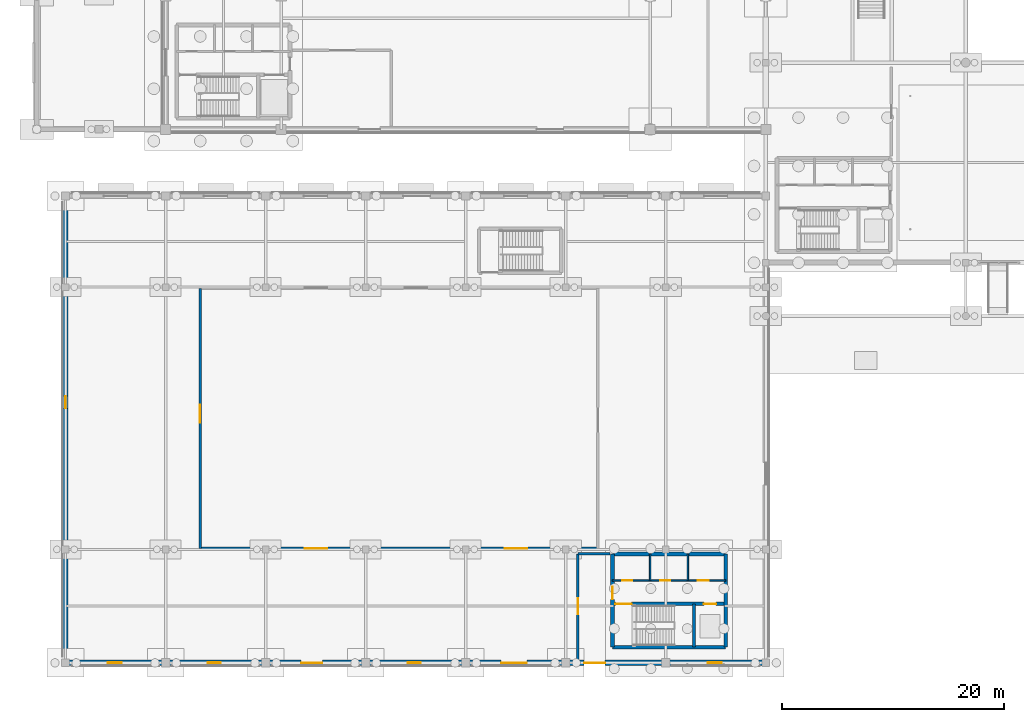
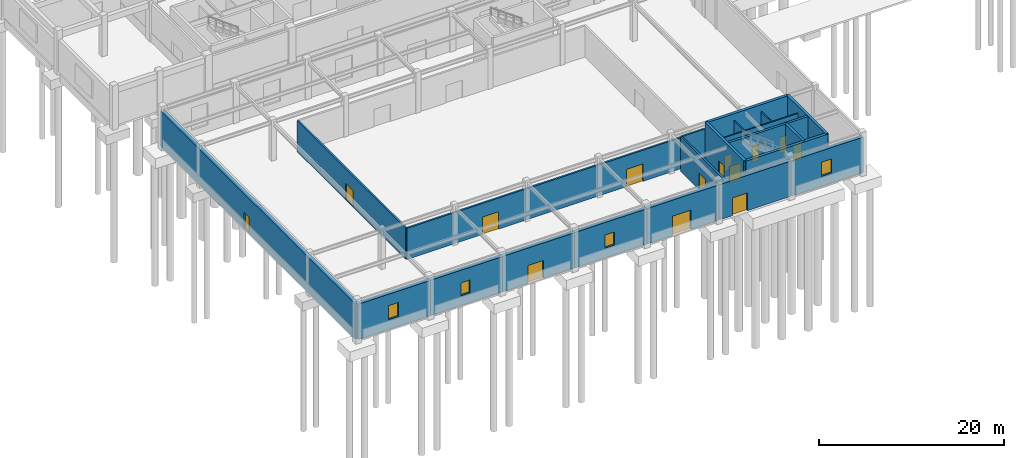
# One storey, part 23 of 53: 21 walls, 14 doors, 4 windows, 18 openings.
"""IFC4 building model written with IfcOpenShell, lengths in metres."""

from ifc_helpers import new_model, si_unit, derived_unit, direction, frame, frame_2d, origin, place, context, subcontext, project, spatial, rectangle, extrude, material, layer, layer_set, type_object, element, fill, save


model = new_model("IFC4")

# Units and contexts
model_context = context("Model", 3, precision=1e-05, world=origin(), true_north=direction((0.0, 1.0)))
body_context = subcontext(model_context, "Body", "Model", "MODEL_VIEW")
ifc_project = project(units=[si_unit("LENGTHUNIT", "METRE"), si_unit("AREAUNIT", "SQUARE_METRE"), si_unit("VOLUMEUNIT", "CUBIC_METRE"), si_unit("PLANEANGLEUNIT", "RADIAN"), si_unit("MASSUNIT", "GRAM", prefix="KILO"), derived_unit("THERMALTRANSMITTANCEUNIT", [(si_unit("POWERUNIT", "WATT"), 1), (si_unit("LENGTHUNIT", "METRE"), -2), (si_unit("THERMODYNAMICTEMPERATUREUNIT", "KELVIN"), -1)])], contexts=[model_context])

# Site, building, storey
site_placement = place(None, origin())
site = spatial("IfcSite", under=ifc_project, at=site_placement, CompositionType="ELEMENT")
building_placement = place(site_placement, origin())
building = spatial("IfcBuilding", under=site, at=building_placement, Name="Almenara Railside Exhibition Hall", CompositionType="ELEMENT")
storey_placement = place(building_placement, origin())
storey = spatial("IfcBuildingStorey", under=building, at=storey_placement, Name="L00", CompositionType="ELEMENT", Elevation=0.0)

# Walls
ifc_material_1 = material(Name="Concrete C35/45", Category="concrete")
ifc_layer_1 = layer(ifc_material_1, 0.35009765625, Name="Concrete C35/45")
ifc_layer_set_1 = layer_set([ifc_layer_1], Name="Concrete C35/45")
wall_type_1 = type_object("IfcWallType", Name="Core Coupled Shear Wall 350mm C35/45", PredefinedType="SHEAR", material=ifc_layer_set_1)
for number, where, z_axis, x_axis, name in (
    (1, (52.199951171875, 1.39990234375, 0.0), (0.0, 0.0, 1.0), (1.0, 0.0, 0.0), "Interior wall 0190"),
    (2, (62.39990234375, 9.800048828125, 0.0), (0.0, 0.0, 1.0), (-1.0, 0.0, 0.0), "Interior wall 0191"),
):
    element("IfcWall", number, at=place(storey_placement, frame(where, z_axis=z_axis, x_axis=x_axis)), inside=storey, type_object=wall_type_1, Name=name, PredefinedType="SHEAR", context=body_context, shape_type="SweptSolid", body=[
        extrude(rectangle(XDim=10.199951171875, YDim=0.35009765625, at=frame_2d((5.10009765625, 0.0))), origin(), (0.0, 0.0, 1.0), 5.39990234375),
    ])

# Wall, opening, door
wall_1_placement = place(storey_placement, frame((52.199951171875, 9.800048828125, 0.0), z_axis=(0.0, 0.0, 1.0), x_axis=(0.0, -1.0, 0.0)))
wall_1 = element("IfcWall", 3, at=wall_1_placement, inside=storey, type_object=wall_type_1, Name="Interior wall 0192", PredefinedType="SHEAR", context=body_context, shape_type="SweptSolid", body=[
    extrude(rectangle(XDim=8.400146484375, YDim=0.35009765625, at=frame_2d((4.2001953125, 0.0))), origin(), (0.0, 0.0, 1.0), 5.39990234375),
])
opening_1_placement = place(wall_1_placement, frame((2.949951171875, 0.0, 0.0)))
opening_1 = element("IfcOpeningElement", 4, at=opening_1_placement, cuts=wall_1, Name="Opening FD-115", PredefinedType="OPENING", context=body_context, shape_type="SweptSolid", body=[
    extrude(rectangle(XDim=1.14990234375, YDim=2.14990234375, at=frame_2d((0.574951171875, 1.074951171875))), frame((0.0, 0.18505859375, 0.0), z_axis=(0.0, -1.0, 0.0), x_axis=(1.0, 0.0, 0.0)), (0.0, 0.0, 1.0), 0.3701171875),
])
ifc_material_2 = material(Name="Fire-rated iroko timber door", Category="wood")
door_type_1 = type_object("IfcDoorType", Name="Core Lobby Fire Door 1150x2150 EI60", OperationType="NOTDEFINED", PredefinedType="DOOR", material=ifc_material_2)
door_1_placement = place(opening_1_placement, frame((1.14990234375, 0.0, 0.0), z_axis=(0.0, 0.0, 1.0), x_axis=(-1.0, 0.0, 0.0)))
door_1 = element("IfcDoor", 5, at=door_1_placement, inside=storey, type_object=door_type_1, Name="Interior door FD-115-127", OperationType="SINGLE_SWING_LEFT", OverallHeight=2.14990234375, OverallWidth=1.14990234375, PredefinedType="DOOR", context=body_context, shape_type="SweptSolid", body=[
    extrude(rectangle(XDim=1.14990234375, YDim=2.14990234375, at=frame_2d((0.574951171875, 1.074951171875))), frame((0.0, 0.02490234375, 0.0), z_axis=(0.0, -1.0, 0.0), x_axis=(1.0, 0.0, 0.0)), (0.0, 0.0, 1.0), 0.050048828125),
])
fill(opening_1, door_1)

# Wall
wall_2_placement = place(storey_placement, frame((62.39990234375, 1.39990234375, 0.0), z_axis=(0.0, 0.0, 1.0), x_axis=(0.0, 1.0, 0.0)))
element("IfcWall", 6, at=wall_2_placement, inside=storey, type_object=wall_type_1, Name="Interior wall 0193", PredefinedType="SHEAR", context=body_context, shape_type="SweptSolid", body=[
    extrude(rectangle(XDim=8.400146484375, YDim=0.35009765625, at=frame_2d((4.2001953125, 0.0))), origin(), (0.0, 0.0, 1.0), 5.39990234375),
])

# Wall, opening, window
ifc_material_3 = material(Name="Ochre-white lime-rendered masonry over Concrete C35/45", Category="masonry")
ifc_layer_2 = layer(ifc_material_3, 0.47998046875, Name="Ochre-white lime-rendered masonry over Concrete C35/45")
ifc_layer_set_2 = layer_set([ifc_layer_2], Name="Ochre-white lime-rendered masonry over Concrete C35/45")
wall_type_2 = type_object("IfcWallType", Name="Exterior Plenary Thermal Wall 480mm C35/45", PredefinedType="SOLIDWALL", material=ifc_layer_set_2)
wall_3_placement = place(storey_placement, frame((3.0, 0.0, 0.0), z_axis=(0.0, 0.0, 1.0), x_axis=(1.0, 0.0, 0.0)))
wall_3 = element("IfcWall", 7, at=wall_3_placement, inside=storey, type_object=wall_type_2, Name="Exterior wall 0108", PredefinedType="SOLIDWALL", context=body_context, shape_type="SweptSolid", body=[
    extrude(rectangle(XDim=9.0, YDim=0.47998046875, at=frame_2d((4.5, 0.0))), origin(), (0.0, 0.0, 1.0), 4.64990234375),
])
opening_2_placement = place(wall_3_placement, frame((3.800048828125, 0.0, 1.300048828125)))
opening_2 = element("IfcOpeningElement", 8, at=opening_2_placement, cuts=wall_3, Name="Opening W-10", PredefinedType="OPENING", context=body_context, shape_type="SweptSolid", body=[
    extrude(rectangle(XDim=1.25, YDim=1.85009765625, at=frame_2d((0.625, 0.925048828125))), frame((0.0, 0.25, 0.0), z_axis=(0.0, -1.0, 0.0), x_axis=(1.0, 0.0, 0.0)), (0.0, 0.0, 1.0), 0.5),
])
ifc_material_4 = material(Name="Bronze-anodised aluminium and low-E double glazing", Category="aluminium")
window_type_1 = type_object("IfcWindowType", Name="South Cold-Side Punched Window 1250x1850", PartitioningType="SINGLE_PANEL", PredefinedType="WINDOW", material=ifc_material_4)
window_1_placement = place(opening_2_placement, origin())
window_1 = element("IfcWindow", 9, at=window_1_placement, inside=storey, type_object=window_type_1, Name="Window 0019", OverallHeight=1.85009765625, OverallWidth=1.25, PartitioningType="SINGLE_PANEL", PredefinedType="WINDOW", context=body_context, shape_type="SweptSolid", body=[
    extrude(rectangle(XDim=1.25, YDim=1.85009765625, at=frame_2d((0.625, 0.925048828125))), frame((0.0, 0.030029296875, 0.0), z_axis=(0.0, -1.0, 0.0), x_axis=(1.0, 0.0, 0.0)), (0.0, 0.0, 1.0), 0.06005859375),
])
fill(opening_2, window_1)

wall_4_placement = place(storey_placement, frame((12.0, 0.0, 0.0), z_axis=(0.0, 0.0, 1.0), x_axis=(1.0, 0.0, 0.0)))
wall_4 = element("IfcWall", 10, at=wall_4_placement, inside=storey, type_object=wall_type_2, Name="Exterior wall 0112", PredefinedType="SOLIDWALL", context=body_context, shape_type="SweptSolid", body=[
    extrude(rectangle(XDim=9.0, YDim=0.47998046875, at=frame_2d((4.5, 0.0))), origin(), (0.0, 0.0, 1.0), 4.64990234375),
])
opening_3_placement = place(wall_4_placement, frame((3.800048828125, 0.0, 1.300048828125)))
opening_3 = element("IfcOpeningElement", 11, at=opening_3_placement, cuts=wall_4, Name="Opening W-11", PredefinedType="OPENING", context=body_context, shape_type="SweptSolid", body=[
    extrude(rectangle(XDim=1.14990234375, YDim=1.699951171875, at=frame_2d((0.574951171875, 0.85009765625))), frame((0.0, 0.25, 0.0), z_axis=(0.0, -1.0, 0.0), x_axis=(1.0, 0.0, 0.0)), (0.0, 0.0, 1.0), 0.5),
])
window_type_2 = type_object("IfcWindowType", Name="South Gallery Punched Window 1150x1700", PartitioningType="SINGLE_PANEL", PredefinedType="WINDOW", material=ifc_material_4)
window_2_placement = place(opening_3_placement, origin())
window_2 = element("IfcWindow", 12, at=window_2_placement, inside=storey, type_object=window_type_2, Name="Window 0021", OverallHeight=1.699951171875, OverallWidth=1.14990234375, PartitioningType="SINGLE_PANEL", PredefinedType="WINDOW", context=body_context, shape_type="SweptSolid", body=[
    extrude(rectangle(XDim=1.14990234375, YDim=1.699951171875, at=frame_2d((0.574951171875, 0.85009765625))), frame((0.0, 0.030029296875, 0.0), z_axis=(0.0, -1.0, 0.0), x_axis=(1.0, 0.0, 0.0)), (0.0, 0.0, 1.0), 0.06005859375),
])
fill(opening_3, window_2)

# Wall, opening, door
wall_5_placement = place(storey_placement, frame((21.0, 0.0, 0.0), z_axis=(0.0, 0.0, 1.0), x_axis=(1.0, 0.0, 0.0)))
wall_5 = element("IfcWall", 13, at=wall_5_placement, inside=storey, type_object=wall_type_2, Name="Exterior wall 0116", PredefinedType="SOLIDWALL", context=body_context, shape_type="SweptSolid", body=[
    extrude(rectangle(XDim=9.0, YDim=0.47998046875, at=frame_2d((4.5, 0.0))), origin(), (0.0, 0.0, 1.0), 4.64990234375),
])
opening_4_placement = place(wall_5_placement, frame((3.199951171875, 0.0, 0.0)))
opening_4 = element("IfcOpeningElement", 14, at=opening_4_placement, cuts=wall_5, Name="Opening ED-16", PredefinedType="OPENING", context=body_context, shape_type="SweptSolid", body=[
    extrude(rectangle(XDim=1.89990234375, YDim=2.35009765625, at=frame_2d((0.949951171875, 1.175048828125))), frame((0.0, 0.25, 0.0), z_axis=(0.0, -1.0, 0.0), x_axis=(1.0, 0.0, 0.0)), (0.0, 0.0, 1.0), 0.5),
])
ifc_material_5 = material(Name="Bronze-anodised glazed escape door")
door_type_2 = type_object("IfcDoorType", Name="Congress Double Escape Door 1900x2350", OperationType="NOTDEFINED", PredefinedType="DOOR", material=ifc_material_5)
door_2_placement = place(opening_4_placement, frame((1.89990234375, 0.0, 0.0), z_axis=(0.0, 0.0, 1.0), x_axis=(-1.0, 0.0, 0.0)))
door_2 = element("IfcDoor", 15, at=door_2_placement, inside=storey, type_object=door_type_2, Name="Exterior door ED-16", OperationType="DOUBLE_DOOR_SINGLE_SWING", OverallHeight=2.35009765625, OverallWidth=1.89990234375, PredefinedType="DOOR", context=body_context, shape_type="SweptSolid", body=[
    extrude(rectangle(XDim=1.89990234375, YDim=2.35009765625, at=frame_2d((0.949951171875, 1.175048828125))), frame((0.0, 0.02490234375, 0.0), z_axis=(0.0, -1.0, 0.0), x_axis=(1.0, 0.0, 0.0)), (0.0, 0.0, 1.0), 0.050048828125),
])
fill(opening_4, door_2)

# Wall, opening, window
wall_6_placement = place(storey_placement, frame((30.0, 0.0, 0.0), z_axis=(0.0, 0.0, 1.0), x_axis=(1.0, 0.0, 0.0)))
wall_6 = element("IfcWall", 16, at=wall_6_placement, inside=storey, type_object=wall_type_2, Name="Exterior wall 0120", PredefinedType="SOLIDWALL", context=body_context, shape_type="SweptSolid", body=[
    extrude(rectangle(XDim=9.0, YDim=0.47998046875, at=frame_2d((4.5, 0.0))), origin(), (0.0, 0.0, 1.0), 4.64990234375),
])
opening_5_placement = place(wall_6_placement, frame((3.800048828125, 0.0, 1.300048828125)))
opening_5 = element("IfcOpeningElement", 17, at=opening_5_placement, cuts=wall_6, Name="Opening W-11", PredefinedType="OPENING", context=body_context, shape_type="SweptSolid", body=[
    extrude(rectangle(XDim=1.14990234375, YDim=1.699951171875, at=frame_2d((0.574951171875, 0.85009765625))), frame((0.0, 0.25, 0.0), z_axis=(0.0, -1.0, 0.0), x_axis=(1.0, 0.0, 0.0)), (0.0, 0.0, 1.0), 0.5),
])
window_3_placement = place(opening_5_placement, origin())
window_3 = element("IfcWindow", 18, at=window_3_placement, inside=storey, type_object=window_type_2, Name="Window 0024", OverallHeight=1.699951171875, OverallWidth=1.14990234375, PartitioningType="SINGLE_PANEL", PredefinedType="WINDOW", context=body_context, shape_type="SweptSolid", body=[
    extrude(rectangle(XDim=1.14990234375, YDim=1.699951171875, at=frame_2d((0.574951171875, 0.85009765625))), frame((0.0, 0.030029296875, 0.0), z_axis=(0.0, -1.0, 0.0), x_axis=(1.0, 0.0, 0.0)), (0.0, 0.0, 1.0), 0.06005859375),
])
fill(opening_5, window_3)

# Wall, opening, door
wall_7_placement = place(storey_placement, frame((39.0, 0.0, 0.0), z_axis=(0.0, 0.0, 1.0), x_axis=(1.0, 0.0, 0.0)))
wall_7 = element("IfcWall", 19, at=wall_7_placement, inside=storey, type_object=wall_type_2, Name="Exterior wall 0124", PredefinedType="SOLIDWALL", context=body_context, shape_type="SweptSolid", body=[
    extrude(rectangle(XDim=9.0, YDim=0.47998046875, at=frame_2d((4.5, 0.0))), origin(), (0.0, 0.0, 1.0), 4.64990234375),
])
opening_6_placement = place(wall_7_placement, frame((3.199951171875, 0.0, 0.0)))
opening_6 = element("IfcOpeningElement", 20, at=opening_6_placement, cuts=wall_7, Name="Opening ED-18", PredefinedType="OPENING", context=body_context, shape_type="SweptSolid", body=[
    extrude(rectangle(XDim=2.300048828125, YDim=2.550048828125, at=frame_2d((1.14990234375, 1.27490234375))), frame((0.0, 0.25, 0.0), z_axis=(0.0, -1.0, 0.0), x_axis=(1.0, 0.0, 0.0)), (0.0, 0.0, 1.0), 0.5),
])
ifc_material_6 = material(Name="Bronze-anodised glazed entrance door")
door_type_3 = type_object("IfcDoorType", Name="Hall Gable Double Exit Door 2300x2550", OperationType="NOTDEFINED", PredefinedType="DOOR", material=ifc_material_6)
door_3_placement = place(opening_6_placement, frame((2.300048828125, 0.0, 0.0), z_axis=(0.0, 0.0, 1.0), x_axis=(-1.0, 0.0, 0.0)))
door_3 = element("IfcDoor", 21, at=door_3_placement, inside=storey, type_object=door_type_3, Name="Exterior door ED-18", OperationType="DOUBLE_DOOR_SINGLE_SWING", OverallHeight=2.550048828125, OverallWidth=2.300048828125, PredefinedType="DOOR", context=body_context, shape_type="SweptSolid", body=[
    extrude(rectangle(XDim=2.300048828125, YDim=2.550048828125, at=frame_2d((1.14990234375, 1.27490234375))), frame((0.0, 0.02490234375, 0.0), z_axis=(0.0, -1.0, 0.0), x_axis=(1.0, 0.0, 0.0)), (0.0, 0.0, 1.0), 0.050048828125),
])
fill(opening_6, door_3)

wall_8_placement = place(storey_placement, frame((48.0, 0.0, 0.0), z_axis=(0.0, 0.0, 1.0), x_axis=(1.0, 0.0, 0.0)))
wall_8 = element("IfcWall", 22, at=wall_8_placement, inside=storey, type_object=wall_type_2, Name="Exterior wall 0128", PredefinedType="SOLIDWALL", context=body_context, shape_type="SweptSolid", body=[
    extrude(rectangle(XDim=9.0, YDim=0.47998046875, at=frame_2d((4.5, 0.0))), origin(), (0.0, 0.0, 1.0), 4.64990234375),
])
opening_7_placement = place(wall_8_placement, frame((1.64990234375, 0.0, 0.0)))
opening_7 = element("IfcOpeningElement", 23, at=opening_7_placement, cuts=wall_8, Name="Opening ED-30", PredefinedType="OPENING", context=body_context, shape_type="SweptSolid", body=[
    extrude(rectangle(XDim=1.89990234375, YDim=2.35009765625, at=frame_2d((0.949951171875, 1.175048828125))), frame((0.0, 0.25, 0.0), z_axis=(0.0, -1.0, 0.0), x_axis=(1.0, 0.0, 0.0)), (0.0, 0.0, 1.0), 0.5),
])
door_4_placement = place(opening_7_placement, frame((1.89990234375, 0.0, 0.0), z_axis=(0.0, 0.0, 1.0), x_axis=(-1.0, 0.0, 0.0)))
door_4 = element("IfcDoor", 24, at=door_4_placement, inside=storey, type_object=door_type_2, Name="Exterior door ED-30", OperationType="DOUBLE_DOOR_SINGLE_SWING", OverallHeight=2.35009765625, OverallWidth=1.89990234375, PredefinedType="DOOR", context=body_context, shape_type="SweptSolid", body=[
    extrude(rectangle(XDim=1.89990234375, YDim=2.35009765625, at=frame_2d((0.949951171875, 1.175048828125))), frame((0.0, 0.02490234375, 0.0), z_axis=(0.0, -1.0, 0.0), x_axis=(1.0, 0.0, 0.0)), (0.0, 0.0, 1.0), 0.050048828125),
])
fill(opening_7, door_4)

# Wall, opening, window
wall_9_placement = place(storey_placement, frame((57.0, 0.0, 0.0), z_axis=(0.0, 0.0, 1.0), x_axis=(1.0, 0.0, 0.0)))
wall_9 = element("IfcWall", 25, at=wall_9_placement, inside=storey, type_object=wall_type_2, Name="Exterior wall 0132", PredefinedType="SOLIDWALL", context=body_context, shape_type="SweptSolid", body=[
    extrude(rectangle(XDim=9.0, YDim=0.47998046875, at=frame_2d((4.5, 0.0))), origin(), (0.0, 0.0, 1.0), 4.64990234375),
])
opening_8_placement = place(wall_9_placement, frame((3.800048828125, 0.0, 1.300048828125)))
opening_8 = element("IfcOpeningElement", 26, at=opening_8_placement, cuts=wall_9, Name="Opening W-10", PredefinedType="OPENING", context=body_context, shape_type="SweptSolid", body=[
    extrude(rectangle(XDim=1.25, YDim=1.85009765625, at=frame_2d((0.625, 0.925048828125))), frame((0.0, 0.25, 0.0), z_axis=(0.0, -1.0, 0.0), x_axis=(1.0, 0.0, 0.0)), (0.0, 0.0, 1.0), 0.5),
])
window_4_placement = place(opening_8_placement, origin())
window_4 = element("IfcWindow", 27, at=window_4_placement, inside=storey, type_object=window_type_1, Name="Window 0027", OverallHeight=1.85009765625, OverallWidth=1.25, PartitioningType="SINGLE_PANEL", PredefinedType="WINDOW", context=body_context, shape_type="SweptSolid", body=[
    extrude(rectangle(XDim=1.25, YDim=1.85009765625, at=frame_2d((0.625, 0.925048828125))), frame((0.0, 0.030029296875, 0.0), z_axis=(0.0, -1.0, 0.0), x_axis=(1.0, 0.0, 0.0)), (0.0, 0.0, 1.0), 0.06005859375),
])
fill(opening_8, window_4)

# Wall, opening, door
wall_10_placement = place(storey_placement, frame((3.0, 42.0, 0.0), z_axis=(0.0, 0.0, 1.0), x_axis=(0.0, -1.0, 0.0)))
wall_10 = element("IfcWall", 28, at=wall_10_placement, inside=storey, type_object=wall_type_2, Name="Exterior wall 0136", PredefinedType="SOLIDWALL", context=body_context, shape_type="SweptSolid", body=[
    extrude(rectangle(XDim=42.0, YDim=0.47998046875, at=frame_2d((21.0, 0.0))), origin(), (0.0, 0.0, 1.0), 4.64990234375),
])
opening_9_placement = place(wall_10_placement, frame((18.0, 0.0, 0.0)))
opening_9 = element("IfcOpeningElement", 29, at=opening_9_placement, cuts=wall_10, Name="Opening SD-01", PredefinedType="OPENING", context=body_context, shape_type="SweptSolid", body=[
    extrude(rectangle(XDim=1.10009765625, YDim=2.199951171875, at=frame_2d((0.550048828125, 1.10009765625))), frame((0.0, 0.25, 0.0), z_axis=(0.0, -1.0, 0.0), x_axis=(1.0, 0.0, 0.0)), (0.0, 0.0, 1.0), 0.5),
])
ifc_material_7 = material(Name="Powder-coated steel service door", Category="steel")
door_type_4 = type_object("IfcDoorType", Name="Exterior Service Access Door 1100x2200", OperationType="NOTDEFINED", PredefinedType="DOOR", material=ifc_material_7)
door_5_placement = place(opening_9_placement, frame((1.10009765625, 0.0, 0.0), z_axis=(0.0, 0.0, 1.0), x_axis=(-1.0, 0.0, 0.0)))
door_5 = element("IfcDoor", 30, at=door_5_placement, inside=storey, type_object=door_type_4, Name="Exterior door SD-01", OperationType="SINGLE_SWING_LEFT", OverallHeight=2.199951171875, OverallWidth=1.10009765625, PredefinedType="DOOR", context=body_context, shape_type="SweptSolid", body=[
    extrude(rectangle(XDim=1.10009765625, YDim=2.199951171875, at=frame_2d((0.550048828125, 1.10009765625))), frame((0.0, 0.02490234375, 0.0), z_axis=(0.0, -1.0, 0.0), x_axis=(1.0, 0.0, 0.0)), (0.0, 0.0, 1.0), 0.050048828125),
])
fill(opening_9, door_5)

ifc_material_8 = material(Name="Insulated masonry over Concrete C35/45", Category="masonry")
ifc_layer_3 = layer(ifc_material_8, 0.219970703125, Name="Insulated masonry over Concrete C35/45")
ifc_layer_set_3 = layer_set([ifc_layer_3], Name="Insulated masonry over Concrete C35/45")
wall_type_3 = type_object("IfcWallType", Name="Occupancy Separating Fire Wall 220mm", PredefinedType="SOLIDWALL", material=ifc_layer_set_3)
wall_11_placement = place(storey_placement, frame((49.10009765625, 9.800048828125, 0.0), z_axis=(0.0, 0.0, 1.0), x_axis=(0.0, -1.0, 0.0)))
wall_11 = element("IfcWall", 31, at=wall_11_placement, inside=storey, type_object=wall_type_3, Name="Interior wall 0271", PredefinedType="SOLIDWALL", context=body_context, shape_type="SweptSolid", body=[
    extrude(rectangle(XDim=9.5, YDim=0.219970703125, at=frame_2d((4.75, 0.0))), origin(), (0.0, 0.0, 1.0), 4.60009765625),
])
opening_10_placement = place(wall_11_placement, frame((4.0, 0.0, 0.0)))
opening_10 = element("IfcOpeningElement", 32, at=opening_10_placement, cuts=wall_11, Name="Opening FD-145", PredefinedType="OPENING", context=body_context, shape_type="SweptSolid", body=[
    extrude(rectangle(XDim=1.449951171875, YDim=2.14990234375, at=frame_2d((0.72509765625, 1.074951171875))), frame((0.0, 0.119873046875, 0.0), z_axis=(0.0, -1.0, 0.0), x_axis=(1.0, 0.0, 0.0)), (0.0, 0.0, 1.0), 0.239990234375),
])
ifc_material_9 = material(Name="Steel-framed fire-rated timber door", Category="steel")
door_type_5 = type_object("IfcDoorType", Name="Fire Escape Stair Door 1450x2150 EI60", OperationType="NOTDEFINED", PredefinedType="DOOR", material=ifc_material_9)
door_6_placement = place(opening_10_placement, origin())
door_6 = element("IfcDoor", 33, at=door_6_placement, inside=storey, type_object=door_type_5, Name="Interior door FD-145-181", OperationType="DOUBLE_DOOR_SINGLE_SWING", OverallHeight=2.14990234375, OverallWidth=1.449951171875, PredefinedType="DOOR", context=body_context, shape_type="SweptSolid", body=[
    extrude(rectangle(XDim=1.449951171875, YDim=2.14990234375, at=frame_2d((0.72509765625, 1.074951171875))), frame((0.0, 0.02490234375, 0.0), z_axis=(0.0, -1.0, 0.0), x_axis=(1.0, 0.0, 0.0)), (0.0, 0.0, 1.0), 0.050048828125),
])
fill(opening_10, door_6)

# Wall
wall_12_placement = place(storey_placement, frame((49.10009765625, 9.800048828125, 0.0), z_axis=(0.0, 0.0, 1.0), x_axis=(1.0, 0.0, 0.0)))
element("IfcWall", 34, at=wall_12_placement, inside=storey, type_object=wall_type_3, Name="Interior wall 0272", PredefinedType="SOLIDWALL", context=body_context, shape_type="SweptSolid", body=[
    extrude(rectangle(XDim=2.89990234375, YDim=0.219970703125, at=frame_2d((1.449951171875, 0.0))), origin(), (0.0, 0.0, 1.0), 4.60009765625),
])

# Wall, openings, doors
wall_13_placement = place(storey_placement, frame((15.10009765625, 10.300048828125, 0.0), z_axis=(0.0, 0.0, 1.0), x_axis=(1.0, 0.0, 0.0)))
wall_13 = element("IfcWall", 35, at=wall_13_placement, inside=storey, type_object=wall_type_3, Name="Interior wall 0366", PredefinedType="SOLIDWALL", context=body_context, shape_type="SweptSolid", body=[
    extrude(rectangle(XDim=35.7998046875, YDim=0.219970703125, at=frame_2d((17.89990234375, 0.0))), origin(), (0.0, 0.0, 1.0), 4.10009765625),
])
opening_11_placement = place(wall_13_placement, frame((9.39990234375, 0.0, 0.0)))
opening_11 = element("IfcOpeningElement", 36, at=opening_11_placement, cuts=wall_13, Name="Opening ID-205", PredefinedType="OPENING", context=body_context, shape_type="SweptSolid", body=[
    extrude(rectangle(XDim=2.050048828125, YDim=2.300048828125, at=frame_2d((1.02490234375, 1.14990234375))), frame((0.0, 0.119873046875, 0.0), z_axis=(0.0, -1.0, 0.0), x_axis=(1.0, 0.0, 0.0)), (0.0, 0.0, 1.0), 0.239990234375),
])
opening_12_placement = place(wall_13_placement, frame((27.39990234375, 0.0, 0.0)))
opening_12 = element("IfcOpeningElement", 37, at=opening_12_placement, cuts=wall_13, Name="Opening ID-205", PredefinedType="OPENING", context=body_context, shape_type="SweptSolid", body=[
    extrude(rectangle(XDim=2.050048828125, YDim=2.300048828125, at=frame_2d((1.02490234375, 1.14990234375))), frame((0.0, 0.119873046875, 0.0), z_axis=(0.0, -1.0, 0.0), x_axis=(1.0, 0.0, 0.0)), (0.0, 0.0, 1.0), 0.239990234375),
])
ifc_material_10 = material(Name="Acoustic iroko hardwood double door", Category="wood")
door_type_6 = type_object("IfcDoorType", Name="Congress Auditorium Acoustic Double Door 2050x2300", OperationType="NOTDEFINED", PredefinedType="DOOR", material=ifc_material_10)
door_7_placement = place(opening_11_placement, origin())
door_7 = element("IfcDoor", 38, at=door_7_placement, inside=storey, type_object=door_type_6, Name="Interior door ID-205-221", OperationType="DOUBLE_DOOR_SINGLE_SWING", OverallHeight=2.300048828125, OverallWidth=2.050048828125, PredefinedType="DOOR", context=body_context, shape_type="SweptSolid", body=[
    extrude(rectangle(XDim=2.050048828125, YDim=2.300048828125, at=frame_2d((1.02490234375, 1.14990234375))), frame((0.0, 0.02490234375, 0.0), z_axis=(0.0, -1.0, 0.0), x_axis=(1.0, 0.0, 0.0)), (0.0, 0.0, 1.0), 0.050048828125),
])
fill(opening_11, door_7)
door_8_placement = place(opening_12_placement, origin())
door_8 = element("IfcDoor", 39, at=door_8_placement, inside=storey, type_object=door_type_6, Name="Interior door ID-205-222", OperationType="DOUBLE_DOOR_SINGLE_SWING", OverallHeight=2.300048828125, OverallWidth=2.050048828125, PredefinedType="DOOR", context=body_context, shape_type="SweptSolid", body=[
    extrude(rectangle(XDim=2.050048828125, YDim=2.300048828125, at=frame_2d((1.02490234375, 1.14990234375))), frame((0.0, 0.02490234375, 0.0), z_axis=(0.0, -1.0, 0.0), x_axis=(1.0, 0.0, 0.0)), (0.0, 0.0, 1.0), 0.050048828125),
])
fill(opening_12, door_8)

# Wall, opening, door
wall_14_placement = place(storey_placement, frame((15.10009765625, 33.699951171875, 0.0), z_axis=(0.0, 0.0, 1.0), x_axis=(0.0, -1.0, 0.0)))
wall_14 = element("IfcWall", 40, at=wall_14_placement, inside=storey, type_object=wall_type_3, Name="Interior wall 0369", PredefinedType="SOLIDWALL", context=body_context, shape_type="SweptSolid", body=[
    extrude(rectangle(XDim=23.39990234375, YDim=0.219970703125, at=frame_2d((11.699951171875, 0.0))), origin(), (0.0, 0.0, 1.0), 4.10009765625),
])
opening_13_placement = place(wall_14_placement, frame((10.5, 0.0, 0.0)))
opening_13 = element("IfcOpeningElement", 41, at=opening_13_placement, cuts=wall_14, Name="Opening ID-16", PredefinedType="OPENING", context=body_context, shape_type="SweptSolid", body=[
    extrude(rectangle(XDim=1.60009765625, YDim=2.199951171875, at=frame_2d((0.800048828125, 1.10009765625))), frame((0.0, 0.119873046875, 0.0), z_axis=(0.0, -1.0, 0.0), x_axis=(1.0, 0.0, 0.0)), (0.0, 0.0, 1.0), 0.239990234375),
])
ifc_material_11 = material(Name="Iroko hardwood double door", Category="wood")
door_type_7 = type_object("IfcDoorType", Name="Meeting Suite Double Door 1600x2200", OperationType="NOTDEFINED", PredefinedType="DOOR", material=ifc_material_11)
door_9_placement = place(opening_13_placement, origin())
door_9 = element("IfcDoor", 42, at=door_9_placement, inside=storey, type_object=door_type_7, Name="Interior door ID-16-226", OperationType="DOUBLE_DOOR_SINGLE_SWING", OverallHeight=2.199951171875, OverallWidth=1.60009765625, PredefinedType="DOOR", context=body_context, shape_type="SweptSolid", body=[
    extrude(rectangle(XDim=1.60009765625, YDim=2.199951171875, at=frame_2d((0.800048828125, 1.10009765625))), frame((0.0, 0.02490234375, 0.0), z_axis=(0.0, -1.0, 0.0), x_axis=(1.0, 0.0, 0.0)), (0.0, 0.0, 1.0), 0.050048828125),
])
fill(opening_13, door_9)

# Wall, openings, doors
ifc_material_12 = material(Name="Moisture-resistant tiled masonry partition", Category="masonry")
ifc_layer_4 = layer(ifc_material_12, 0.139892578125, Name="Moisture-resistant tiled masonry partition")
ifc_layer_set_4 = layer_set([ifc_layer_4], Name="Moisture-resistant tiled masonry partition")
wall_type_4 = type_object("IfcWallType", Name="Sanitary Wet-Wall Partition 140mm", PredefinedType="PARTITIONING", material=ifc_layer_set_4)
wall_15_placement = place(storey_placement, frame((52.199951171875, 7.39990234375, 0.0), z_axis=(0.0, 0.0, 1.0), x_axis=(1.0, 0.0, 0.0)))
wall_15 = element("IfcWall", 43, at=wall_15_placement, inside=storey, type_object=wall_type_4, Name="Interior wall 0196", PredefinedType="PARTITIONING", context=body_context, shape_type="SweptSolid", body=[
    extrude(rectangle(XDim=10.199951171875, YDim=0.139892578125, at=frame_2d((5.10009765625, 0.0))), origin(), (0.0, 0.0, 1.0), 4.5),
])
opening_14_placement = place(wall_15_placement, frame((0.89990234375, 0.0, 0.0)))
opening_14 = element("IfcOpeningElement", 44, at=opening_14_placement, cuts=wall_15, Name="Opening ID-09", PredefinedType="OPENING", context=body_context, shape_type="SweptSolid", body=[
    extrude(rectangle(XDim=0.89990234375, YDim=2.10009765625, at=frame_2d((0.449951171875, 1.050048828125))), frame((0.0, 0.079833984375, 0.0), z_axis=(0.0, -1.0, 0.0), x_axis=(1.0, 0.0, 0.0)), (0.0, 0.0, 1.0), 0.159912109375),
])
opening_15_placement = place(wall_15_placement, frame((4.300048828125, 0.0, 0.0)))
opening_15 = element("IfcOpeningElement", 45, at=opening_15_placement, cuts=wall_15, Name="Opening ID-09", PredefinedType="OPENING", context=body_context, shape_type="SweptSolid", body=[
    extrude(rectangle(XDim=0.89990234375, YDim=2.10009765625, at=frame_2d((0.449951171875, 1.050048828125))), frame((0.0, 0.079833984375, 0.0), z_axis=(0.0, -1.0, 0.0), x_axis=(1.0, 0.0, 0.0)), (0.0, 0.0, 1.0), 0.159912109375),
])
opening_16_placement = place(wall_15_placement, frame((7.699951171875, 0.0, 0.0)))
opening_16 = element("IfcOpeningElement", 46, at=opening_16_placement, cuts=wall_15, Name="Opening ID-095", PredefinedType="OPENING", context=body_context, shape_type="SweptSolid", body=[
    extrude(rectangle(XDim=0.949951171875, YDim=2.10009765625, at=frame_2d((0.47509765625, 1.050048828125))), frame((0.0, 0.079833984375, 0.0), z_axis=(0.0, -1.0, 0.0), x_axis=(1.0, 0.0, 0.0)), (0.0, 0.0, 1.0), 0.159912109375),
])
ifc_material_13 = material(Name="Moisture-resistant hardwood door", Category="wood")
door_type_8 = type_object("IfcDoorType", Name="Accessible Toilet Door 950x2100", OperationType="NOTDEFINED", PredefinedType="DOOR", material=ifc_material_13)
door_10_placement = place(opening_16_placement, origin())
door_10 = element("IfcDoor", 47, at=door_10_placement, inside=storey, type_object=door_type_8, Name="Interior door ID-095-132", OperationType="SINGLE_SWING_RIGHT", OverallHeight=2.10009765625, OverallWidth=0.949951171875, PredefinedType="DOOR", context=body_context, shape_type="SweptSolid", body=[
    extrude(rectangle(XDim=0.949951171875, YDim=2.10009765625, at=frame_2d((0.47509765625, 1.050048828125))), frame((0.0, 0.02490234375, 0.0), z_axis=(0.0, -1.0, 0.0), x_axis=(1.0, 0.0, 0.0)), (0.0, 0.0, 1.0), 0.050048828125),
])
fill(opening_16, door_10)
door_type_9 = type_object("IfcDoorType", Name="Sanitary Lobby Single Door 900x2100", OperationType="NOTDEFINED", PredefinedType="DOOR", material=ifc_material_13)
door_11_placement = place(opening_14_placement, origin())
door_11 = element("IfcDoor", 48, at=door_11_placement, inside=storey, type_object=door_type_9, Name="Interior door ID-09-130", OperationType="SINGLE_SWING_RIGHT", OverallHeight=2.10009765625, OverallWidth=0.89990234375, PredefinedType="DOOR", context=body_context, shape_type="SweptSolid", body=[
    extrude(rectangle(XDim=0.89990234375, YDim=2.10009765625, at=frame_2d((0.449951171875, 1.050048828125))), frame((0.0, 0.02490234375, 0.0), z_axis=(0.0, -1.0, 0.0), x_axis=(1.0, 0.0, 0.0)), (0.0, 0.0, 1.0), 0.050048828125),
])
fill(opening_14, door_11)
door_12_placement = place(opening_15_placement, origin())
door_12 = element("IfcDoor", 49, at=door_12_placement, inside=storey, type_object=door_type_9, Name="Interior door ID-09-131", OperationType="SINGLE_SWING_LEFT", OverallHeight=2.10009765625, OverallWidth=0.89990234375, PredefinedType="DOOR", context=body_context, shape_type="SweptSolid", body=[
    extrude(rectangle(XDim=0.89990234375, YDim=2.10009765625, at=frame_2d((0.449951171875, 1.050048828125))), frame((0.0, 0.02490234375, 0.0), z_axis=(0.0, -1.0, 0.0), x_axis=(1.0, 0.0, 0.0)), (0.0, 0.0, 1.0), 0.050048828125),
])
fill(opening_15, door_12)

# Walls
for number, where, z_axis, x_axis, name in (
    (50, (55.60009765625, 7.39990234375, 0.0), (0.0, 0.0, 1.0), (0.0, 1.0, 0.0), "Interior wall 0197"),
    (51, (59.0, 7.39990234375, 0.0), (0.0, 0.0, 1.0), (0.0, 1.0, 0.0), "Interior wall 0198"),
):
    element("IfcWall", number, at=place(storey_placement, frame(where, z_axis=z_axis, x_axis=x_axis)), inside=storey, type_object=wall_type_4, Name=name, PredefinedType="PARTITIONING", context=body_context, shape_type="SweptSolid", body=[
        extrude(rectangle(XDim=2.400146484375, YDim=0.139892578125, at=frame_2d((1.2001953125, 0.0))), origin(), (0.0, 0.0, 1.0), 4.5),
    ])

# Wall, openings, doors
ifc_layer_5 = layer(ifc_material_1, 0.300048828125, Name="Concrete C35/45")
ifc_layer_set_5 = layer_set([ifc_layer_5], Name="Concrete C35/45")
wall_type_5 = type_object("IfcWallType", Name="Stair and Lift Shaft Wall 300mm C35/45", PredefinedType="SHEAR", material=ifc_layer_set_5)
wall_16_placement = place(storey_placement, frame((52.199951171875, 5.300048828125, 0.0), z_axis=(0.0, 0.0, 1.0), x_axis=(1.0, 0.0, 0.0)))
wall_16 = element("IfcWall", 52, at=wall_16_placement, inside=storey, type_object=wall_type_5, Name="Interior wall 0194", PredefinedType="SHEAR", context=body_context, shape_type="SweptSolid", body=[
    extrude(rectangle(XDim=10.199951171875, YDim=0.300048828125, at=frame_2d((5.10009765625, 0.0))), origin(), (0.0, 0.0, 1.0), 5.39990234375),
])
opening_17_placement = place(wall_16_placement, frame((0.280029296875, 0.0, 0.0)))
opening_17 = element("IfcOpeningElement", 53, at=opening_17_placement, cuts=wall_16, Name="Opening FD-145", PredefinedType="OPENING", context=body_context, shape_type="SweptSolid", body=[
    extrude(rectangle(XDim=1.449951171875, YDim=2.14990234375, at=frame_2d((0.72509765625, 1.074951171875))), frame((0.0, 0.159912109375, 0.0), z_axis=(0.0, -1.0, 0.0), x_axis=(1.0, 0.0, 0.0)), (0.0, 0.0, 1.0), 0.320068359375),
])
opening_18_placement = place(wall_16_placement, frame((8.22509765625, 0.0, 0.0)))
opening_18 = element("IfcOpeningElement", 54, at=opening_18_placement, cuts=wall_16, Name="Opening LD-11-C7", PredefinedType="OPENING", context=body_context, shape_type="SweptSolid", body=[
    extrude(rectangle(XDim=1.10009765625, YDim=2.14990234375, at=frame_2d((0.550048828125, 1.074951171875))), frame((0.0, 0.159912109375, 0.0), z_axis=(0.0, -1.0, 0.0), x_axis=(1.0, 0.0, 0.0)), (0.0, 0.0, 1.0), 0.320068359375),
])
door_13_placement = place(opening_17_placement, origin())
door_13 = element("IfcDoor", 55, at=door_13_placement, inside=storey, type_object=door_type_5, Name="Interior door FD-145-128", OperationType="DOUBLE_DOOR_SINGLE_SWING", OverallHeight=2.14990234375, OverallWidth=1.449951171875, PredefinedType="DOOR", context=body_context, shape_type="SweptSolid", body=[
    extrude(rectangle(XDim=1.449951171875, YDim=2.14990234375, at=frame_2d((0.72509765625, 1.074951171875))), frame((0.0, 0.02490234375, 0.0), z_axis=(0.0, -1.0, 0.0), x_axis=(1.0, 0.0, 0.0)), (0.0, 0.0, 1.0), 0.050048828125),
])
fill(opening_17, door_13)
ifc_material_14 = material(Name="Brushed bronze-stainless steel sliding landing door", Category="steel")
door_type_10 = type_object("IfcDoorType", Name="Passenger Lift Sliding Landing Door 1100x2150", OperationType="DOUBLE_DOOR_SLIDING", PredefinedType="DOOR", material=ifc_material_14)
door_14_placement = place(opening_18_placement, origin())
door_14 = element("IfcDoor", 56, at=door_14_placement, inside=storey, type_object=door_type_10, Name="Interior door LD-11-C7-129", OperationType="DOUBLE_DOOR_SLIDING", OverallHeight=2.14990234375, OverallWidth=1.10009765625, PredefinedType="DOOR", context=body_context, shape_type="SweptSolid", body=[
    extrude(rectangle(XDim=1.10009765625, YDim=2.14990234375, at=frame_2d((0.550048828125, 1.074951171875))), frame((0.0, 0.02490234375, 0.0), z_axis=(0.0, -1.0, 0.0), x_axis=(1.0, 0.0, 0.0)), (0.0, 0.0, 1.0), 0.050048828125),
])
fill(opening_18, door_14)

# Wall
wall_17_placement = place(storey_placement, frame((59.550048828125, 1.39990234375, 0.0), z_axis=(0.0, 0.0, 1.0), x_axis=(0.0, 1.0, 0.0)))
element("IfcWall", 57, at=wall_17_placement, inside=storey, type_object=wall_type_5, Name="Interior wall 0195", PredefinedType="SHEAR", context=body_context, shape_type="SweptSolid", body=[
    extrude(rectangle(XDim=3.900146484375, YDim=0.300048828125, at=frame_2d((1.9501953125, 0.0))), origin(), (0.0, 0.0, 1.0), 5.39990234375),
])

save(model, "model.ifc")
